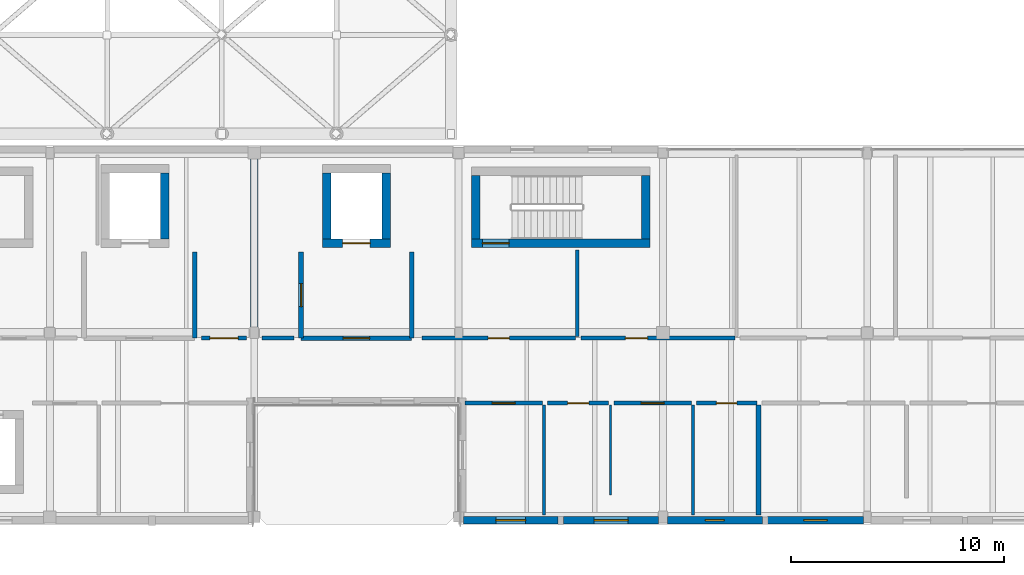
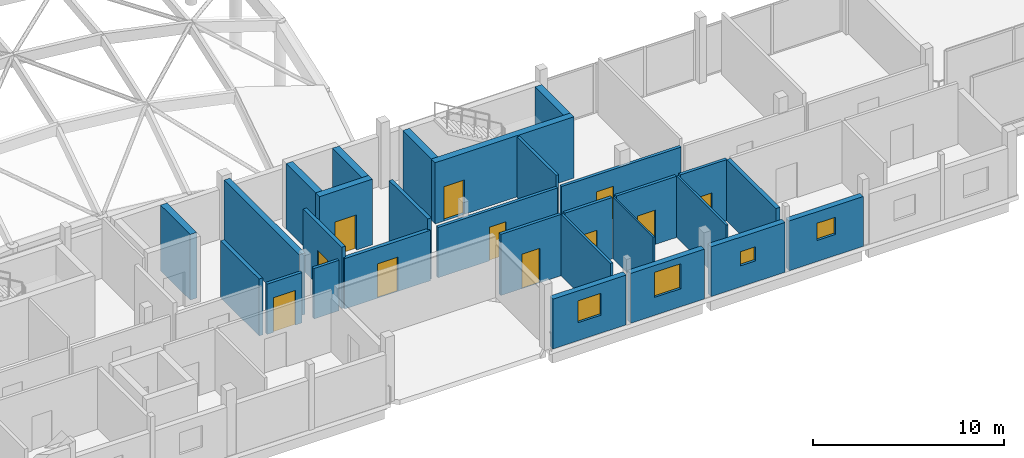
# One storey, part 26 of 41: 29 walls, 11 doors, 4 windows, 15 openings.
"""IFC4 building model written with IfcOpenShell, lengths in metres."""

from ifc_helpers import new_model, si_unit, direction, frame, frame_2d, origin, place, context, subcontext, project, spatial, rectangle, extrude, material, layer, layer_set, type_object, element, fill, save


model = new_model("IFC4")

# Units and contexts
model_context = context("Model", 3, precision=1e-05, world=origin(), true_north=direction((0.0, 1.0)))
body_context = subcontext(model_context, "Body", "Model", "MODEL_VIEW")
ifc_project = project(units=[si_unit("LENGTHUNIT", "METRE"), si_unit("AREAUNIT", "SQUARE_METRE"), si_unit("VOLUMEUNIT", "CUBIC_METRE"), si_unit("PLANEANGLEUNIT", "RADIAN"), si_unit("MASSUNIT", "GRAM", prefix="KILO")], contexts=[model_context])

# Site, building, storey
site_placement = place(None, origin())
site = spatial("IfcSite", under=ifc_project, at=site_placement, CompositionType="ELEMENT")
building_placement = place(site_placement, origin())
building = spatial("IfcBuilding", under=site, at=building_placement, Name="Birchvale Park Specialist Clinic", CompositionType="ELEMENT")
storey_placement = place(building_placement, frame((0.0, 0.0, 9.60009765625)))
storey = spatial("IfcBuildingStorey", under=building, at=storey_placement, Name="L02", CompositionType="ELEMENT", Elevation=9.60009765625)

# Wall, opening, door
ifc_material_1 = material(Name="Concrete C40/50", Category="concrete")
ifc_layer_1 = layer(ifc_material_1, 0.39990234375)
ifc_layer_set_1 = layer_set([ifc_layer_1], Name="Concrete C40/50")
wall_type_1 = type_object("IfcWallType", Name="WL-CW-120", PredefinedType="SHEAR", material=ifc_layer_set_1)
wall_1_placement = place(storey_placement, frame((90.800048828125, 30.0, 0.0), z_axis=(0.0, 0.0, 1.0), x_axis=(1.0, 0.0, 0.0)))
wall_1 = element("IfcWall", 1, at=wall_1_placement, inside=storey, type_object=wall_type_1, Name="L02 stair ST5 EI 120 enclosure wall (south)", PredefinedType="SHEAR", context=body_context, shape_type="SweptSolid", body=[
    extrude(rectangle(XDim=8.39990234375, YDim=0.39990234375, at=frame_2d((4.199951171875, 0.0))), origin(), (0.0, 0.0, 1.0), 3.919921875),
])
opening_1_placement = place(wall_1_placement, frame((0.52001953125, 0.0, 0.0)))
opening_1 = element("IfcOpeningElement", 2, at=opening_1_placement, cuts=wall_1, Name="Opening ID-FD60", PredefinedType="OPENING", context=body_context, shape_type="SweptSolid", body=[
    extrude(rectangle(XDim=1.25, YDim=2.199951171875, at=frame_2d((0.625, 1.10009765625))), frame((0.0, 0.2099609375, 0.0), z_axis=(0.0, -1.0, 0.0), x_axis=(1.0, 0.0, 0.0)), (0.0, 0.0, 1.0), 0.419921875),
])
ifc_material_2 = material(Name="Solid-core birch veneer and anodised aluminium", Category="aluminium")
door_type_1 = type_object("IfcDoorType", Name="DR-ID-FD60", OperationType="NOTDEFINED", PredefinedType="DOOR", material=ifc_material_2)
door_1_placement = place(opening_1_placement, origin())
door_1 = element("IfcDoor", 3, at=door_1_placement, inside=storey, type_object=door_type_1, Name="L02 stair ST5 fire door", OperationType="SINGLE_SWING_RIGHT", OverallHeight=2.199951171875, OverallWidth=1.25, PredefinedType="DOOR", context=body_context, shape_type="SweptSolid", body=[
    extrude(rectangle(XDim=1.25, YDim=2.199951171875, at=frame_2d((0.625, 1.10009765625))), frame((0.0, 0.02490234375, 0.0), z_axis=(0.0, -1.0, 0.0), x_axis=(1.0, 0.0, 0.0)), (0.0, 0.0, 1.0), 0.050048828125),
])
fill(opening_1, door_1)

# Walls
for number, where, z_axis, x_axis, name in (
    (4, (91.0, 30.199951171875, 0.0), (0.0, 0.0, 1.0), (0.0, 1.0, 0.0), "L02 stair ST5 EI 120 enclosure wall (west)"),
    (5, (99.0, 33.199951171875, 0.0), (0.0, 0.0, 1.0), (0.0, -1.0, 0.0), "L02 stair ST5 EI 120 enclosure wall (east)"),
):
    element("IfcWall", number, at=place(storey_placement, frame(where, z_axis=z_axis, x_axis=x_axis)), inside=storey, type_object=wall_type_1, Name=name, PredefinedType="SHEAR", context=body_context, shape_type="SweptSolid", body=[
        extrude(rectangle(XDim=3.0, YDim=0.39990234375, at=frame_2d((1.5, 0.0))), origin(), (0.0, 0.0, 1.0), 3.919921875),
    ])
wall_2_placement = place(storey_placement, frame((76.39990234375, 33.300048828125, 0.0), z_axis=(0.0, 0.0, 1.0), x_axis=(0.0, -1.0, 0.0)))
element("IfcWall", 6, at=wall_2_placement, inside=storey, type_object=wall_type_1, Name="L02 lift LF1 shaft wall (east)", PredefinedType="SHEAR", context=body_context, shape_type="SweptSolid", body=[
    extrude(rectangle(XDim=3.10009765625, YDim=0.39990234375, at=frame_2d((1.550048828125, 0.0))), origin(), (0.0, 0.0, 1.0), 4.199951171875),
])

# Wall, opening, door
wall_3_placement = place(storey_placement, frame((83.800048828125, 30.0, 0.0), z_axis=(0.0, 0.0, 1.0), x_axis=(1.0, 0.0, 0.0)))
wall_3 = element("IfcWall", 7, at=wall_3_placement, inside=storey, type_object=wall_type_1, Name="L02 lift LF2 shaft wall (south)", PredefinedType="SHEAR", context=body_context, shape_type="SweptSolid", body=[
    extrude(rectangle(XDim=3.199951171875, YDim=0.39990234375, at=frame_2d((1.60009765625, 0.0))), origin(), (0.0, 0.0, 1.0), 4.199951171875),
])
opening_2_placement = place(wall_3_placement, frame((0.949951171875, 0.0, 0.0)))
opening_2 = element("IfcOpeningElement", 8, at=opening_2_placement, cuts=wall_3, Name="Opening LD-02", PredefinedType="OPENING", context=body_context, shape_type="SweptSolid", body=[
    extrude(rectangle(XDim=1.300048828125, YDim=2.25, at=frame_2d((0.64990234375, 1.125))), frame((0.0, 0.2099609375, 0.0), z_axis=(0.0, -1.0, 0.0), x_axis=(1.0, 0.0, 0.0)), (0.0, 0.0, 1.0), 0.419921875),
])
door_type_2 = type_object("IfcDoorType", Name="DR-LD-02", OperationType="DOUBLE_DOOR_SLIDING", PredefinedType="DOOR", material=ifc_material_2)
door_2_placement = place(opening_2_placement, origin())
door_2 = element("IfcDoor", 9, at=door_2_placement, inside=storey, type_object=door_type_2, Name="L02 lift LF2 sliding landing door", OperationType="DOUBLE_DOOR_SLIDING", OverallHeight=2.25, OverallWidth=1.300048828125, PredefinedType="DOOR", context=body_context, shape_type="SweptSolid", body=[
    extrude(rectangle(XDim=1.300048828125, YDim=2.25, at=frame_2d((0.64990234375, 1.125))), frame((0.0, 0.02490234375, 0.0), z_axis=(0.0, -1.0, 0.0), x_axis=(1.0, 0.0, 0.0)), (0.0, 0.0, 1.0), 0.050048828125),
])
fill(opening_2, door_2)

# Walls
for number, where, z_axis, x_axis, name in (
    (10, (84.0, 30.199951171875, 0.0), (0.0, 0.0, 1.0), (0.0, 1.0, 0.0), "L02 lift LF2 shaft wall (west)"),
    (11, (86.800048828125, 33.300048828125, 0.0), (0.0, 0.0, 1.0), (0.0, -1.0, 0.0), "L02 lift LF2 shaft wall (east)"),
):
    element("IfcWall", number, at=place(storey_placement, frame(where, z_axis=z_axis, x_axis=x_axis)), inside=storey, type_object=wall_type_1, Name=name, PredefinedType="SHEAR", context=body_context, shape_type="SweptSolid", body=[
        extrude(rectangle(XDim=3.10009765625, YDim=0.39990234375, at=frame_2d((1.550048828125, 0.0))), origin(), (0.0, 0.0, 1.0), 4.199951171875),
    ])

# Wall, opening, window
ifc_material_3 = material(Name="Lime-white mineral-rendered insulated masonry", Category="masonry")
ifc_layer_2 = layer(ifc_material_3, 0.340087890625)
ifc_layer_set_2 = layer_set([ifc_layer_2], Name="Lime-white mineral-rendered insulated masonry")
wall_type_2 = type_object("IfcWallType", Name="WL-EW-01", PredefinedType="STANDARD", material=ifc_layer_set_2)
wall_4_placement = place(storey_placement, frame((90.43505859375, 16.989990234375, 0.0), z_axis=(0.0, 0.0, 1.0), x_axis=(1.0, 0.0, 0.0)))
wall_4 = element("IfcWall", 12, at=wall_4_placement, inside=storey, type_object=wall_type_2, Name="V4 L02 exterior facade wall 198", PredefinedType="STANDARD", context=body_context, shape_type="SweptSolid", body=[
    extrude(rectangle(XDim=4.429931640625, YDim=0.340087890625, at=frame_2d((2.21484375, 0.0))), origin(), (0.0, 0.0, 1.0), 3.184814453125),
])
opening_3_placement = place(wall_4_placement, frame((1.514892578125, 0.0, 1.14990234375)))
opening_3 = element("IfcOpeningElement", 13, at=opening_3_placement, cuts=wall_4, Name="Opening W-SQ14", PredefinedType="OPENING", context=body_context, shape_type="SweptSolid", body=[
    extrude(rectangle(XDim=1.39990234375, YDim=1.39990234375, at=frame_2d((0.699951171875, 0.699951171875))), frame((0.0, 0.18017578125, 0.0), z_axis=(0.0, -1.0, 0.0), x_axis=(1.0, 0.0, 0.0)), (0.0, 0.0, 1.0), 0.360107421875),
])
ifc_material_4 = material(Name="Solar-control low-E double glazing", Category="glass")
window_type_1 = type_object("IfcWindowType", Name="WIN-W-SQ14", PartitioningType="SINGLE_PANEL", PredefinedType="WINDOW", material=ifc_material_4)
window_1_placement = place(opening_3_placement, origin())
window_1 = element("IfcWindow", 14, at=window_1_placement, inside=storey, type_object=window_type_1, Name="V4 L02 cased window 71", OverallHeight=1.39990234375, OverallWidth=1.39990234375, PartitioningType="SINGLE_PANEL", PredefinedType="WINDOW", context=body_context, shape_type="SweptSolid", body=[
    extrude(rectangle(XDim=1.39990234375, YDim=1.39990234375, at=frame_2d((0.699951171875, 0.699951171875))), frame((0.0, 0.030029296875, 0.0), z_axis=(0.0, -1.0, 0.0), x_axis=(1.0, 0.0, 0.0)), (0.0, 0.0, 1.0), 0.06005859375),
])
fill(opening_3, window_1)

wall_5_placement = place(storey_placement, frame((95.135009765625, 16.989990234375, 0.0), z_axis=(0.0, 0.0, 1.0), x_axis=(1.0, 0.0, 0.0)))
wall_5 = element("IfcWall", 15, at=wall_5_placement, inside=storey, type_object=wall_type_2, Name="V4 L02 exterior facade wall 199", PredefinedType="STANDARD", context=body_context, shape_type="SweptSolid", body=[
    extrude(rectangle(XDim=4.4599609375, YDim=0.340087890625, at=frame_2d((2.22998046875, 0.0))), origin(), (0.0, 0.0, 1.0), 3.184814453125),
])
opening_4_placement = place(wall_5_placement, frame((1.429931640625, 0.0, 1.14990234375)))
opening_4 = element("IfcOpeningElement", 16, at=opening_4_placement, cuts=wall_5, Name="Opening W-SQ16", PredefinedType="OPENING", context=body_context, shape_type="SweptSolid", body=[
    extrude(rectangle(XDim=1.60009765625, YDim=1.60009765625, at=frame_2d((0.800048828125, 0.800048828125))), frame((0.0, 0.18017578125, 0.0), z_axis=(0.0, -1.0, 0.0), x_axis=(1.0, 0.0, 0.0)), (0.0, 0.0, 1.0), 0.360107421875),
])
window_type_2 = type_object("IfcWindowType", Name="WIN-W-SQ16", PartitioningType="SINGLE_PANEL", PredefinedType="WINDOW", material=ifc_material_4)
window_2_placement = place(opening_4_placement, origin())
window_2 = element("IfcWindow", 17, at=window_2_placement, inside=storey, type_object=window_type_2, Name="V4 L02 cased window 72", OverallHeight=1.60009765625, OverallWidth=1.60009765625, PartitioningType="SINGLE_PANEL", PredefinedType="WINDOW", context=body_context, shape_type="SweptSolid", body=[
    extrude(rectangle(XDim=1.60009765625, YDim=1.60009765625, at=frame_2d((0.800048828125, 0.800048828125))), frame((0.0, 0.030029296875, 0.0), z_axis=(0.0, -1.0, 0.0), x_axis=(1.0, 0.0, 0.0)), (0.0, 0.0, 1.0), 0.06005859375),
])
fill(opening_4, window_2)

wall_6_placement = place(storey_placement, frame((100.0048828125, 16.989990234375, 0.0), z_axis=(0.0, 0.0, 1.0), x_axis=(1.0, 0.0, 0.0)))
wall_6 = element("IfcWall", 18, at=wall_6_placement, inside=storey, type_object=wall_type_2, Name="V4 L02 exterior facade wall 200", PredefinedType="STANDARD", context=body_context, shape_type="SweptSolid", body=[
    extrude(rectangle(XDim=4.47509765625, YDim=0.340087890625, at=frame_2d((2.237548828125, 0.0))), origin(), (0.0, 0.0, 1.0), 3.184814453125),
])
opening_5_placement = place(wall_6_placement, frame((1.78759765625, 0.0, 1.35009765625)))
opening_5 = element("IfcOpeningElement", 19, at=opening_5_placement, cuts=wall_6, Name="Opening W-SQ09", PredefinedType="OPENING", context=body_context, shape_type="SweptSolid", body=[
    extrude(rectangle(XDim=0.89990234375, YDim=0.89990234375, at=frame_2d((0.449951171875, 0.449951171875))), frame((0.0, 0.18017578125, 0.0), z_axis=(0.0, -1.0, 0.0), x_axis=(1.0, 0.0, 0.0)), (0.0, 0.0, 1.0), 0.360107421875),
])
window_type_3 = type_object("IfcWindowType", Name="WIN-W-SQ09", PartitioningType="SINGLE_PANEL", PredefinedType="WINDOW", material=ifc_material_4)
window_3_placement = place(opening_5_placement, origin())
window_3 = element("IfcWindow", 20, at=window_3_placement, inside=storey, type_object=window_type_3, Name="V4 L02 cased window 73", OverallHeight=0.89990234375, OverallWidth=0.89990234375, PartitioningType="SINGLE_PANEL", PredefinedType="WINDOW", context=body_context, shape_type="SweptSolid", body=[
    extrude(rectangle(XDim=0.89990234375, YDim=0.89990234375, at=frame_2d((0.449951171875, 0.449951171875))), frame((0.0, 0.030029296875, 0.0), z_axis=(0.0, -1.0, 0.0), x_axis=(1.0, 0.0, 0.0)), (0.0, 0.0, 1.0), 0.06005859375),
])
fill(opening_5, window_3)

wall_7_placement = place(storey_placement, frame((104.719970703125, 16.989990234375, 0.0), z_axis=(0.0, 0.0, 1.0), x_axis=(1.0, 0.0, 0.0)))
wall_7 = element("IfcWall", 21, at=wall_7_placement, inside=storey, type_object=wall_type_2, Name="V4 L02 exterior facade wall 201", PredefinedType="STANDARD", context=body_context, shape_type="SweptSolid", body=[
    extrude(rectangle(XDim=4.5, YDim=0.340087890625, at=frame_2d((2.25, 0.0))), origin(), (0.0, 0.0, 1.0), 3.184814453125),
])
opening_6_placement = place(wall_7_placement, frame((1.699951171875, 0.0, 1.35009765625)))
opening_6 = element("IfcOpeningElement", 22, at=opening_6_placement, cuts=wall_7, Name="Opening W-SQ11", PredefinedType="OPENING", context=body_context, shape_type="SweptSolid", body=[
    extrude(rectangle(XDim=1.10009765625, YDim=1.10009765625, at=frame_2d((0.550048828125, 0.550048828125))), frame((0.0, 0.18017578125, 0.0), z_axis=(0.0, -1.0, 0.0), x_axis=(1.0, 0.0, 0.0)), (0.0, 0.0, 1.0), 0.360107421875),
])
window_type_4 = type_object("IfcWindowType", Name="WIN-W-SQ11", PartitioningType="SINGLE_PANEL", PredefinedType="WINDOW", material=ifc_material_4)
window_4_placement = place(opening_6_placement, origin())
window_4 = element("IfcWindow", 23, at=window_4_placement, inside=storey, type_object=window_type_4, Name="V4 L02 cased window 74", OverallHeight=1.10009765625, OverallWidth=1.10009765625, PartitioningType="SINGLE_PANEL", PredefinedType="WINDOW", context=body_context, shape_type="SweptSolid", body=[
    extrude(rectangle(XDim=1.10009765625, YDim=1.10009765625, at=frame_2d((0.550048828125, 0.550048828125))), frame((0.0, 0.030029296875, 0.0), z_axis=(0.0, -1.0, 0.0), x_axis=(1.0, 0.0, 0.0)), (0.0, 0.0, 1.0), 0.06005859375),
])
fill(opening_6, window_4)

# Walls
ifc_material_5 = material(Name="Acoustic gypsum board on metal framing")
ifc_layer_3 = layer(ifc_material_5, 0.1650390625)
ifc_layer_set_3 = layer_set([ifc_layer_3], Name="Acoustic gypsum board on metal framing")
wall_type_3 = type_object("IfcWallType", Name="WL-IW-01", PredefinedType="PARTITIONING", material=ifc_layer_set_3)
wall_8_placement = place(storey_placement, frame((95.783935546875, 29.699951171875, 0.0), z_axis=(0.0, 0.0, 1.0), x_axis=(0.0, -1.0, 0.0)))
element("IfcWall", 24, at=wall_8_placement, inside=storey, type_object=wall_type_3, Name="V4 L02 clinical partition 455", PredefinedType="PARTITIONING", context=body_context, shape_type="SweptSolid", body=[
    extrude(rectangle(XDim=4.070068359375, YDim=0.1650390625, at=frame_2d((2.03515625, 0.0))), origin(), (0.0, 0.0, 1.0), 3.919921875),
])
ifc_layer_4 = layer(ifc_material_5, 0.14990234375)
ifc_layer_set_4 = layer_set([ifc_layer_4], Name="Acoustic gypsum board on metal framing")
wall_type_4 = type_object("IfcWallType", Name="WL-IW-02", PredefinedType="PARTITIONING", material=ifc_layer_set_4)
wall_9_placement = place(storey_placement, frame((94.219970703125, 22.419921875, 0.0), z_axis=(0.0, 0.0, 1.0), x_axis=(0.0, -1.0, 0.0)))
element("IfcWall", 25, at=wall_9_placement, inside=storey, type_object=wall_type_4, Name="V4 L02 clinical partition 437", PredefinedType="PARTITIONING", context=body_context, shape_type="SweptSolid", body=[
    extrude(rectangle(XDim=5.179931640625, YDim=0.14990234375, at=frame_2d((2.58984375, 0.0))), origin(), (0.0, 0.0, 1.0), 3.919921875),
])
ifc_layer_5 = layer(ifc_material_5, 0.125)
ifc_layer_set_5 = layer_set([ifc_layer_5], Name="Acoustic gypsum board on metal framing")
wall_type_5 = type_object("IfcWallType", Name="WL-IW-04", PredefinedType="PARTITIONING", material=ifc_layer_set_5)
wall_10_placement = place(storey_placement, frame((101.215087890625, 22.419921875, 0.0), z_axis=(0.0, 0.0, 1.0), x_axis=(0.0, -1.0, 0.0)))
element("IfcWall", 26, at=wall_10_placement, inside=storey, type_object=wall_type_5, Name="V4 L02 clinical partition 441", PredefinedType="PARTITIONING", context=body_context, shape_type="SweptSolid", body=[
    extrude(rectangle(XDim=5.179931640625, YDim=0.125, at=frame_2d((2.58984375, 0.0))), origin(), (0.0, 0.0, 1.0), 3.919921875),
])
ifc_layer_6 = layer(ifc_material_5, 0.10009765625)
ifc_layer_set_6 = layer_set([ifc_layer_6], Name="Acoustic gypsum board on metal framing")
wall_type_6 = type_object("IfcWallType", Name="WL-IW-06", PredefinedType="PARTITIONING", material=ifc_layer_set_6)
wall_11_placement = place(storey_placement, frame((97.3349609375, 22.419921875, 0.0), z_axis=(0.0, 0.0, 1.0), x_axis=(0.0, -1.0, 0.0)))
element("IfcWall", 27, at=wall_11_placement, inside=storey, type_object=wall_type_6, Name="V4 L02 clinical partition 440", PredefinedType="PARTITIONING", context=body_context, shape_type="SweptSolid", body=[
    extrude(rectangle(XDim=4.22998046875, YDim=0.10009765625, at=frame_2d((2.114990234375, 0.0))), origin(), (0.0, 0.0, 1.0), 3.919921875),
])
ifc_layer_7 = layer(ifc_material_5, 0.239990234375)
ifc_layer_set_7 = layer_set([ifc_layer_7], Name="Acoustic gypsum board on metal framing")
wall_type_7 = type_object("IfcWallType", Name="WL-IW-08", PredefinedType="PARTITIONING", material=ifc_layer_set_7)
wall_12_placement = place(storey_placement, frame((104.2900390625, 22.419921875, 0.0), z_axis=(0.0, 0.0, 1.0), x_axis=(0.0, -1.0, 0.0)))
element("IfcWall", 28, at=wall_12_placement, inside=storey, type_object=wall_type_7, Name="V4 L02 clinical partition 444", PredefinedType="PARTITIONING", context=body_context, shape_type="SweptSolid", body=[
    extrude(rectangle(XDim=5.179931640625, YDim=0.239990234375, at=frame_2d((2.58984375, 0.0))), origin(), (0.0, 0.0, 1.0), 3.919921875),
])
ifc_layer_8 = layer(ifc_material_5, 0.219970703125)
ifc_layer_set_8 = layer_set([ifc_layer_8], Name="Acoustic gypsum board on metal framing")
wall_type_8 = type_object("IfcWallType", Name="WL-IW-120", PredefinedType="PARTITIONING", material=ifc_layer_set_8)
wall_13_placement = place(storey_placement, frame((77.800048828125, 25.550048828125, 0.0), z_axis=(0.0, 0.0, 1.0), x_axis=(0.0, 1.0, 0.0)))
element("IfcWall", 29, at=wall_13_placement, inside=storey, type_object=wall_type_8, Name="L02 firefighting lift lobby K4 EI 120 wall (east)", PredefinedType="PARTITIONING", context=body_context, shape_type="SweptSolid", body=[
    extrude(rectangle(XDim=4.050048828125, YDim=0.219970703125, at=frame_2d((2.02490234375, 0.0))), origin(), (0.0, 0.0, 1.0), 3.642822265625),
])

# Wall, opening, door
wall_14_placement = place(storey_placement, frame((82.800048828125, 29.60009765625, 0.0), z_axis=(0.0, 0.0, 1.0), x_axis=(0.0, -1.0, 0.0)))
wall_14 = element("IfcWall", 30, at=wall_14_placement, inside=storey, type_object=wall_type_8, Name="L02 firefighting lift lobby K5 EI 120 wall (west)", PredefinedType="PARTITIONING", context=body_context, shape_type="SweptSolid", body=[
    extrude(rectangle(XDim=4.050048828125, YDim=0.219970703125, at=frame_2d((2.02490234375, 0.0))), origin(), (0.0, 0.0, 1.0), 3.919921875),
])
opening_7_placement = place(wall_14_placement, frame((1.485107421875, 0.0, 0.0)))
opening_7 = element("IfcOpeningElement", 31, at=opening_7_placement, cuts=wall_14, Name="Opening ID-03", PredefinedType="OPENING", context=body_context, shape_type="SweptSolid", body=[
    extrude(rectangle(XDim=1.080078125, YDim=2.199951171875, at=frame_2d((0.5400390625, 1.10009765625))), frame((0.0, 0.1201171875, 0.0), z_axis=(0.0, -1.0, 0.0), x_axis=(1.0, 0.0, 0.0)), (0.0, 0.0, 1.0), 0.239990234375),
])
door_type_3 = type_object("IfcDoorType", Name="DR-ID-03", OperationType="NOTDEFINED", PredefinedType="DOOR", material=ifc_material_2)
door_3_placement = place(opening_7_placement, origin())
door_3 = element("IfcDoor", 32, at=door_3_placement, inside=storey, type_object=door_type_3, Name="V4 L02 clinical suite door 312", OperationType="SINGLE_SWING_RIGHT", OverallHeight=2.199951171875, OverallWidth=1.080078125, PredefinedType="DOOR", context=body_context, shape_type="SweptSolid", body=[
    extrude(rectangle(XDim=1.080078125, YDim=2.199951171875, at=frame_2d((0.5400390625, 1.10009765625))), frame((0.0, 0.02490234375, 0.0), z_axis=(0.0, -1.0, 0.0), x_axis=(1.0, 0.0, 0.0)), (0.0, 0.0, 1.0), 0.050048828125),
])
fill(opening_7, door_3)

wall_15_placement = place(storey_placement, frame((82.800048828125, 25.550048828125, 0.0), z_axis=(0.0, 0.0, 1.0), x_axis=(1.0, 0.0, 0.0)))
wall_15 = element("IfcWall", 33, at=wall_15_placement, inside=storey, type_object=wall_type_8, Name="L02 firefighting lift lobby K5 EI 120 wall (south)", PredefinedType="PARTITIONING", context=body_context, shape_type="SweptSolid", body=[
    extrude(rectangle(XDim=5.199951171875, YDim=0.219970703125, at=frame_2d((2.60009765625, 0.0))), origin(), (0.0, 0.0, 1.0), 3.224853515625),
])
opening_8_placement = place(wall_15_placement, frame((1.97509765625, 0.0, 0.0)))
opening_8 = element("IfcOpeningElement", 34, at=opening_8_placement, cuts=wall_15, Name="Opening ID-FD60", PredefinedType="OPENING", context=body_context, shape_type="SweptSolid", body=[
    extrude(rectangle(XDim=1.25, YDim=2.199951171875, at=frame_2d((0.625, 1.10009765625))), frame((0.0, 0.1201171875, 0.0), z_axis=(0.0, -1.0, 0.0), x_axis=(1.0, 0.0, 0.0)), (0.0, 0.0, 1.0), 0.239990234375),
])
door_4_placement = place(opening_8_placement, origin())
door_4 = element("IfcDoor", 35, at=door_4_placement, inside=storey, type_object=door_type_1, Name="L02 firefighting lobby K5 fire door", OperationType="SINGLE_SWING_RIGHT", OverallHeight=2.199951171875, OverallWidth=1.25, PredefinedType="DOOR", context=body_context, shape_type="SweptSolid", body=[
    extrude(rectangle(XDim=1.25, YDim=2.199951171875, at=frame_2d((0.625, 1.10009765625))), frame((0.0, 0.02490234375, 0.0), z_axis=(0.0, -1.0, 0.0), x_axis=(1.0, 0.0, 0.0)), (0.0, 0.0, 1.0), 0.050048828125),
])
fill(opening_8, door_4)

# Wall
wall_16_placement = place(storey_placement, frame((88.0, 25.550048828125, 0.0), z_axis=(0.0, 0.0, 1.0), x_axis=(0.0, 1.0, 0.0)))
element("IfcWall", 36, at=wall_16_placement, inside=storey, type_object=wall_type_8, Name="L02 firefighting lift lobby K5 EI 120 wall (east)", PredefinedType="PARTITIONING", context=body_context, shape_type="SweptSolid", body=[
    extrude(rectangle(XDim=4.050048828125, YDim=0.219970703125, at=frame_2d((2.02490234375, 0.0))), origin(), (0.0, 0.0, 1.0), 3.919921875),
])

# Wall, opening, door
ifc_layer_9 = layer(ifc_material_5, 0.179931640625)
ifc_layer_set_9 = layer_set([ifc_layer_9], Name="Acoustic gypsum board on metal framing")
wall_type_9 = type_object("IfcWallType", Name="WL-IW-60", PredefinedType="PARTITIONING", material=ifc_layer_set_9)
wall_17_placement = place(storey_placement, frame((90.5, 22.5, 0.0), z_axis=(0.0, 0.0, 1.0), x_axis=(1.0, 0.0, 0.0)))
wall_17 = element("IfcWall", 37, at=wall_17_placement, inside=storey, type_object=wall_type_9, Name="V4 L02 clinical partition 438", PredefinedType="PARTITIONING", context=body_context, shape_type="SweptSolid", body=[
    extrude(rectangle(XDim=3.639892578125, YDim=0.179931640625, at=frame_2d((1.81982421875, 0.0))), origin(), (0.0, 0.0, 1.0), 3.919921875),
])
opening_9_placement = place(wall_17_placement, frame((1.280029296875, 0.0, 0.0)))
opening_9 = element("IfcOpeningElement", 38, at=opening_9_placement, cuts=wall_17, Name="Opening ID-03", PredefinedType="OPENING", context=body_context, shape_type="SweptSolid", body=[
    extrude(rectangle(XDim=1.080078125, YDim=2.199951171875, at=frame_2d((0.5400390625, 1.10009765625))), frame((0.0, 0.10009765625, 0.0), z_axis=(0.0, -1.0, 0.0), x_axis=(1.0, 0.0, 0.0)), (0.0, 0.0, 1.0), 0.199951171875),
])
door_5_placement = place(opening_9_placement, origin())
door_5 = element("IfcDoor", 39, at=door_5_placement, inside=storey, type_object=door_type_3, Name="L02 Accessible Patient WC door", OperationType="SINGLE_SWING_LEFT", OverallHeight=2.199951171875, OverallWidth=1.080078125, PredefinedType="DOOR", context=body_context, shape_type="SweptSolid", body=[
    extrude(rectangle(XDim=1.080078125, YDim=2.199951171875, at=frame_2d((0.5400390625, 1.10009765625))), frame((0.0, 0.02490234375, 0.0), z_axis=(0.0, -1.0, 0.0), x_axis=(1.0, 0.0, 0.0)), (0.0, 0.0, 1.0), 0.050048828125),
])
fill(opening_9, door_5)

wall_18_placement = place(storey_placement, frame((94.3798828125, 22.5, 0.0), z_axis=(0.0, 0.0, 1.0), x_axis=(1.0, 0.0, 0.0)))
wall_18 = element("IfcWall", 40, at=wall_18_placement, inside=storey, type_object=wall_type_9, Name="V4 L02 clinical partition 439", PredefinedType="PARTITIONING", context=body_context, shape_type="SweptSolid", body=[
    extrude(rectangle(XDim=2.875, YDim=0.179931640625, at=frame_2d((1.4375, 0.0))), origin(), (0.0, 0.0, 1.0), 3.919921875),
])
opening_10_placement = place(wall_18_placement, frame((0.9375, 0.0, 0.0)))
opening_10 = element("IfcOpeningElement", 41, at=opening_10_placement, cuts=wall_18, Name="Opening ID-01", PredefinedType="OPENING", context=body_context, shape_type="SweptSolid", body=[
    extrude(rectangle(XDim=1.0, YDim=2.14990234375, at=frame_2d((0.5, 1.074951171875))), frame((0.0, 0.10009765625, 0.0), z_axis=(0.0, -1.0, 0.0), x_axis=(1.0, 0.0, 0.0)), (0.0, 0.0, 1.0), 0.199951171875),
])
door_type_4 = type_object("IfcDoorType", Name="DR-ID-01", OperationType="NOTDEFINED", PredefinedType="DOOR", material=ifc_material_2)
door_6_placement = place(opening_10_placement, origin())
door_6 = element("IfcDoor", 42, at=door_6_placement, inside=storey, type_object=door_type_4, Name="L02 Cardiology Examination Clinic door", OperationType="SINGLE_SWING_RIGHT", OverallHeight=2.14990234375, OverallWidth=1.0, PredefinedType="DOOR", context=body_context, shape_type="SweptSolid", body=[
    extrude(rectangle(XDim=1.0, YDim=2.14990234375, at=frame_2d((0.5, 1.074951171875))), frame((0.0, 0.02490234375, 0.0), z_axis=(0.0, -1.0, 0.0), x_axis=(1.0, 0.0, 0.0)), (0.0, 0.0, 1.0), 0.050048828125),
])
fill(opening_10, door_6)

wall_19_placement = place(storey_placement, frame((97.4951171875, 22.5, 0.0), z_axis=(0.0, 0.0, 1.0), x_axis=(1.0, 0.0, 0.0)))
wall_19 = element("IfcWall", 43, at=wall_19_placement, inside=storey, type_object=wall_type_9, Name="V4 L02 clinical partition 442", PredefinedType="PARTITIONING", context=body_context, shape_type="SweptSolid", body=[
    extrude(rectangle(XDim=3.639892578125, YDim=0.179931640625, at=frame_2d((1.81982421875, 0.0))), origin(), (0.0, 0.0, 1.0), 3.919921875),
])
opening_11_placement = place(wall_19_placement, frame((1.280029296875, 0.0, 0.0)))
opening_11 = element("IfcOpeningElement", 44, at=opening_11_placement, cuts=wall_19, Name="Opening ID-03", PredefinedType="OPENING", context=body_context, shape_type="SweptSolid", body=[
    extrude(rectangle(XDim=1.080078125, YDim=2.199951171875, at=frame_2d((0.5400390625, 1.10009765625))), frame((0.0, 0.10009765625, 0.0), z_axis=(0.0, -1.0, 0.0), x_axis=(1.0, 0.0, 0.0)), (0.0, 0.0, 1.0), 0.199951171875),
])
door_7_placement = place(opening_11_placement, origin())
door_7 = element("IfcDoor", 45, at=door_7_placement, inside=storey, type_object=door_type_3, Name="L02 Accessible Staff WC door", OperationType="SINGLE_SWING_LEFT", OverallHeight=2.199951171875, OverallWidth=1.080078125, PredefinedType="DOOR", context=body_context, shape_type="SweptSolid", body=[
    extrude(rectangle(XDim=1.080078125, YDim=2.199951171875, at=frame_2d((0.5400390625, 1.10009765625))), frame((0.0, 0.02490234375, 0.0), z_axis=(0.0, -1.0, 0.0), x_axis=(1.0, 0.0, 0.0)), (0.0, 0.0, 1.0), 0.050048828125),
])
fill(opening_11, door_7)

wall_20_placement = place(storey_placement, frame((101.375, 22.5, 0.0), z_axis=(0.0, 0.0, 1.0), x_axis=(1.0, 0.0, 0.0)))
wall_20 = element("IfcWall", 46, at=wall_20_placement, inside=storey, type_object=wall_type_9, Name="V4 L02 clinical partition 443", PredefinedType="PARTITIONING", context=body_context, shape_type="SweptSolid", body=[
    extrude(rectangle(XDim=2.8349609375, YDim=0.179931640625, at=frame_2d((1.41748046875, 0.0))), origin(), (0.0, 0.0, 1.0), 3.919921875),
])
opening_12_placement = place(wall_20_placement, frame((0.9375, 0.0, 0.0)))
opening_12 = element("IfcOpeningElement", 47, at=opening_12_placement, cuts=wall_20, Name="Opening ID-04", PredefinedType="OPENING", context=body_context, shape_type="SweptSolid", body=[
    extrude(rectangle(XDim=0.9599609375, YDim=2.10009765625, at=frame_2d((0.47998046875, 1.050048828125))), frame((0.0, 0.10009765625, 0.0), z_axis=(0.0, -1.0, 0.0), x_axis=(1.0, 0.0, 0.0)), (0.0, 0.0, 1.0), 0.199951171875),
])
door_type_5 = type_object("IfcDoorType", Name="DR-ID-04", OperationType="NOTDEFINED", PredefinedType="DOOR", material=ifc_material_2)
door_8_placement = place(opening_12_placement, origin())
door_8 = element("IfcDoor", 48, at=door_8_placement, inside=storey, type_object=door_type_5, Name="L02 Cardiology Examination Clinic door", OperationType="SINGLE_SWING_RIGHT", OverallHeight=2.10009765625, OverallWidth=0.9599609375, PredefinedType="DOOR", context=body_context, shape_type="SweptSolid", body=[
    extrude(rectangle(XDim=0.9599609375, YDim=2.10009765625, at=frame_2d((0.47998046875, 1.050048828125))), frame((0.0, 0.02490234375, 0.0), z_axis=(0.0, -1.0, 0.0), x_axis=(1.0, 0.0, 0.0)), (0.0, 0.0, 1.0), 0.050048828125),
])
fill(opening_12, door_8)

wall_21_placement = place(storey_placement, frame((80.239990234375, 25.550048828125, 0.0), z_axis=(0.0, 0.0, 1.0), x_axis=(-1.0, 0.0, 0.0)))
wall_21 = element("IfcWall", 49, at=wall_21_placement, inside=storey, type_object=wall_type_9, Name="V4 L02 clinical partition 453", PredefinedType="PARTITIONING", context=body_context, shape_type="SweptSolid", body=[
    extrude(rectangle(XDim=2.119873046875, YDim=0.179931640625, at=frame_2d((1.06005859375, 0.0))), origin(), (0.0, 0.0, 1.0), 3.224853515625),
])
opening_13_placement = place(wall_21_placement, frame((0.39990234375, 0.0, 0.0)))
opening_13 = element("IfcOpeningElement", 50, at=opening_13_placement, cuts=wall_21, Name="Opening ID-12", PredefinedType="OPENING", context=body_context, shape_type="SweptSolid", body=[
    extrude(rectangle(XDim=1.320068359375, YDim=2.219970703125, at=frame_2d((0.66015625, 1.10986328125))), frame((0.0, 0.10009765625, 0.0), z_axis=(0.0, -1.0, 0.0), x_axis=(1.0, 0.0, 0.0)), (0.0, 0.0, 1.0), 0.199951171875),
])
door_type_6 = type_object("IfcDoorType", Name="DR-ID-12", OperationType="NOTDEFINED", PredefinedType="DOOR", material=ifc_material_2)
door_9_placement = place(opening_13_placement, origin())
door_9 = element("IfcDoor", 51, at=door_9_placement, inside=storey, type_object=door_type_6, Name="L02 Neurology Outpatient Clinic door", OperationType="SINGLE_SWING_LEFT", OverallHeight=2.219970703125, OverallWidth=1.320068359375, PredefinedType="DOOR", context=body_context, shape_type="SweptSolid", body=[
    extrude(rectangle(XDim=1.320068359375, YDim=2.219970703125, at=frame_2d((0.66015625, 1.10986328125))), frame((0.0, 0.02490234375, 0.0), z_axis=(0.0, -1.0, 0.0), x_axis=(1.0, 0.0, 0.0)), (0.0, 0.0, 1.0), 0.050048828125),
])
fill(opening_13, door_9)

# Wall
wall_22_placement = place(storey_placement, frame((82.47998046875, 25.550048828125, 0.0), z_axis=(0.0, 0.0, 1.0), x_axis=(-1.0, 0.0, 0.0)))
element("IfcWall", 52, at=wall_22_placement, inside=storey, type_object=wall_type_9, Name="V4 L02 clinical partition 454", PredefinedType="PARTITIONING", context=body_context, shape_type="SweptSolid", body=[
    extrude(rectangle(XDim=1.52001953125, YDim=0.179931640625, at=frame_2d((0.760009765625, 0.0))), origin(), (0.0, 0.0, 1.0), 3.224853515625),
])

# Wall, opening, door
wall_23_placement = place(storey_placement, frame((95.7041015625, 25.550048828125, 0.0), z_axis=(0.0, 0.0, 1.0), x_axis=(-1.0, 0.0, 0.0)))
wall_23 = element("IfcWall", 53, at=wall_23_placement, inside=storey, type_object=wall_type_9, Name="V4 L02 clinical partition 456", PredefinedType="PARTITIONING", context=body_context, shape_type="SweptSolid", body=[
    extrude(rectangle(XDim=7.232177734375, YDim=0.179931640625, at=frame_2d((3.6162109375, 0.0))), origin(), (0.0, 0.0, 1.0), 3.224853515625),
])
opening_14_placement = place(wall_23_placement, frame((3.115966796875, 0.0, 0.0)))
opening_14 = element("IfcOpeningElement", 54, at=opening_14_placement, cuts=wall_23, Name="Opening ID-01", PredefinedType="OPENING", context=body_context, shape_type="SweptSolid", body=[
    extrude(rectangle(XDim=1.0, YDim=2.14990234375, at=frame_2d((0.5, 1.074951171875))), frame((0.0, 0.10009765625, 0.0), z_axis=(0.0, -1.0, 0.0), x_axis=(1.0, 0.0, 0.0)), (0.0, 0.0, 1.0), 0.199951171875),
])
door_10_placement = place(opening_14_placement, origin())
door_10 = element("IfcDoor", 55, at=door_10_placement, inside=storey, type_object=door_type_4, Name="L02 Cardiology Examination Clinic door", OperationType="SINGLE_SWING_LEFT", OverallHeight=2.14990234375, OverallWidth=1.0, PredefinedType="DOOR", context=body_context, shape_type="SweptSolid", body=[
    extrude(rectangle(XDim=1.0, YDim=2.14990234375, at=frame_2d((0.5, 1.074951171875))), frame((0.0, 0.02490234375, 0.0), z_axis=(0.0, -1.0, 0.0), x_axis=(1.0, 0.0, 0.0)), (0.0, 0.0, 1.0), 0.050048828125),
])
fill(opening_14, door_10)

wall_24_placement = place(storey_placement, frame((103.176025390625, 25.550048828125, 0.0), z_axis=(0.0, 0.0, 1.0), x_axis=(-1.0, 0.0, 0.0)))
wall_24 = element("IfcWall", 56, at=wall_24_placement, inside=storey, type_object=wall_type_9, Name="V4 L02 clinical partition 458", PredefinedType="PARTITIONING", context=body_context, shape_type="SweptSolid", body=[
    extrude(rectangle(XDim=7.23193359375, YDim=0.179931640625, at=frame_2d((3.615966796875, 0.0))), origin(), (0.0, 0.0, 1.0), 3.224853515625),
])
opening_15_placement = place(wall_24_placement, frame((4.095947265625, 0.0, 0.0)))
opening_15 = element("IfcOpeningElement", 57, at=opening_15_placement, cuts=wall_24, Name="Opening ID-02", PredefinedType="OPENING", context=body_context, shape_type="SweptSolid", body=[
    extrude(rectangle(XDim=1.0400390625, YDim=2.14990234375, at=frame_2d((0.52001953125, 1.074951171875))), frame((0.0, 0.10009765625, 0.0), z_axis=(0.0, -1.0, 0.0), x_axis=(1.0, 0.0, 0.0)), (0.0, 0.0, 1.0), 0.199951171875),
])
door_type_7 = type_object("IfcDoorType", Name="DR-ID-02", OperationType="NOTDEFINED", PredefinedType="DOOR", material=ifc_material_2)
door_11_placement = place(opening_15_placement, origin())
door_11 = element("IfcDoor", 58, at=door_11_placement, inside=storey, type_object=door_type_7, Name="L02 Cardiology Examination Clinic door", OperationType="SINGLE_SWING_RIGHT", OverallHeight=2.14990234375, OverallWidth=1.0400390625, PredefinedType="DOOR", context=body_context, shape_type="SweptSolid", body=[
    extrude(rectangle(XDim=1.0400390625, YDim=2.14990234375, at=frame_2d((0.52001953125, 1.074951171875))), frame((0.0, 0.02490234375, 0.0), z_axis=(0.0, -1.0, 0.0), x_axis=(1.0, 0.0, 0.0)), (0.0, 0.0, 1.0), 0.050048828125),
])
fill(opening_15, door_11)

# Wall
ifc_layer_10 = layer(ifc_material_1, 0.35009765625)
ifc_layer_set_10 = layer_set([ifc_layer_10], Name="Concrete C40/50")
wall_type_10 = type_object("IfcWallType", Name="WL-SW-350", PredefinedType="SHEAR", material=ifc_layer_set_10)
wall_25_placement = place(storey_placement, frame((80.60009765625, 26.074951171875, 0.0), z_axis=(0.0, 0.0, 1.0), x_axis=(0.0, 1.0, 0.0)))
element("IfcWall", 59, at=wall_25_placement, inside=storey, type_object=wall_type_10, Name="V4 L02 coupled seismic shear wall 7", PredefinedType="SHEAR", context=body_context, shape_type="SweptSolid", body=[
    extrude(rectangle(XDim=7.885009765625, YDim=0.35009765625, at=frame_2d((3.9423828125, 0.0))), origin(), (0.0, 0.0, 1.0), 3.919921875),
])

save(model, "model.ifc")
